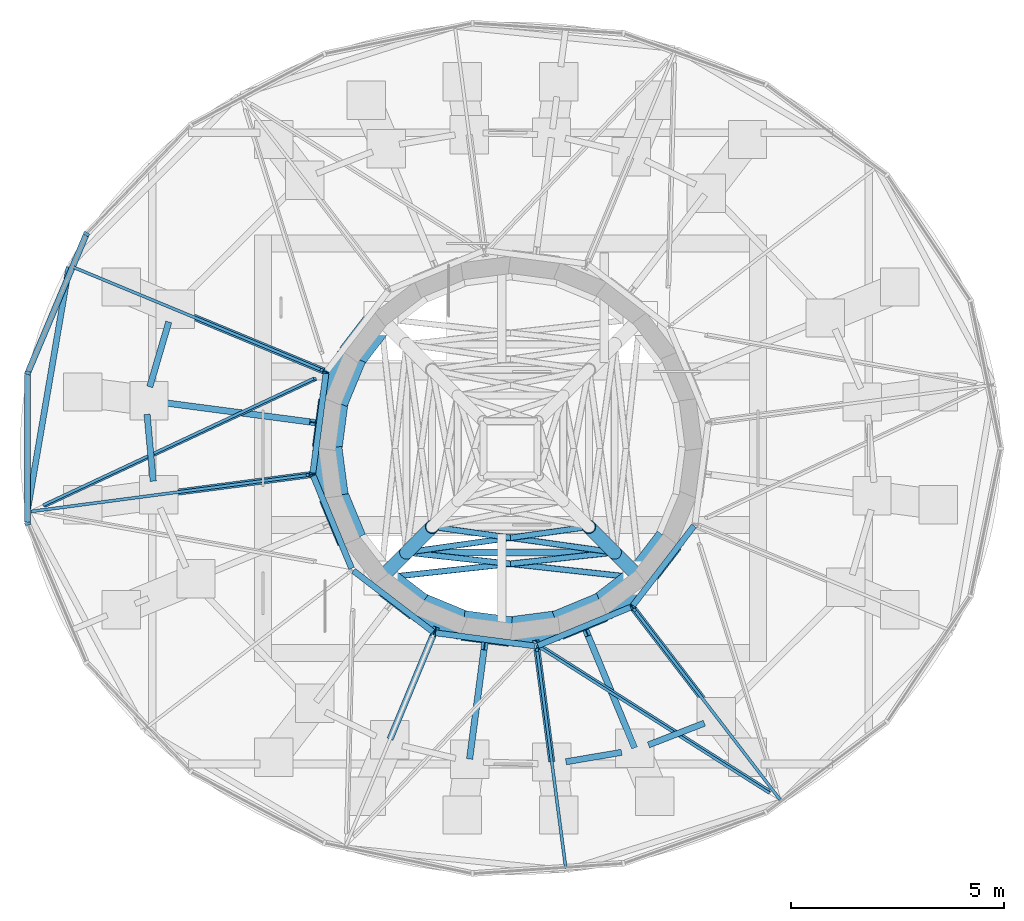
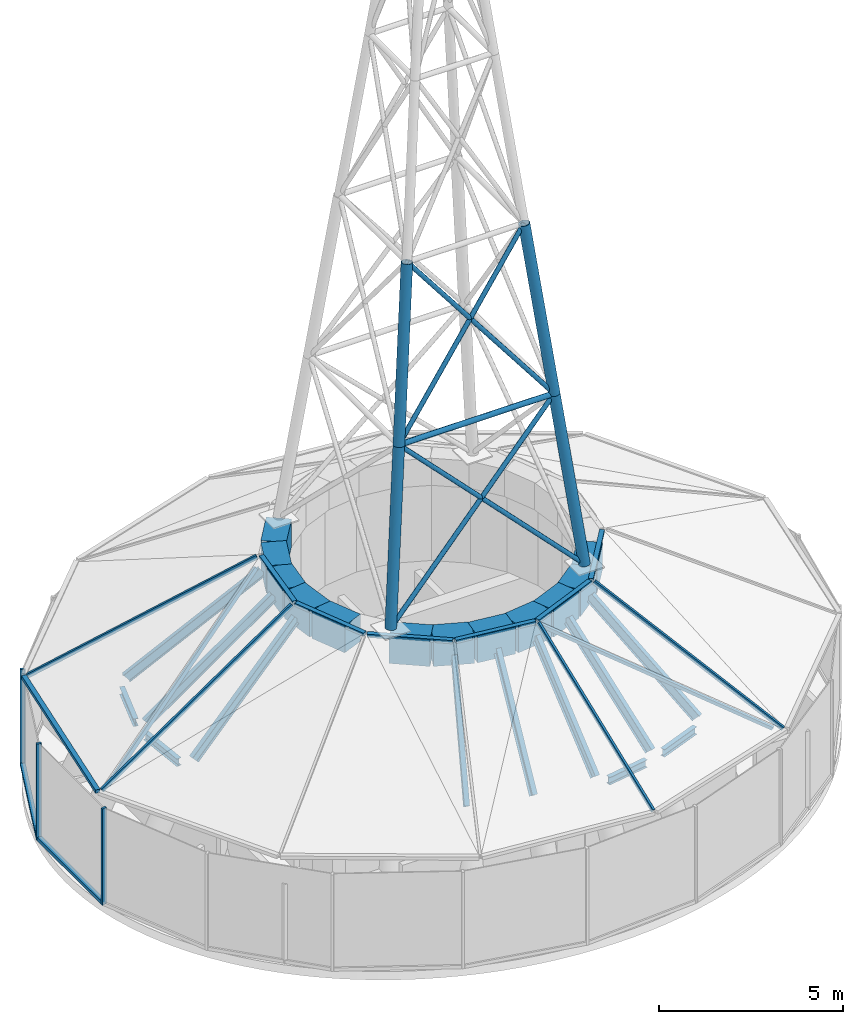
# One storey, part 2 of 10: 35 members, 16 beams, 9 elements without a shape of their own.
"""IFC4 building model written with IfcOpenShell, lengths in metres."""

from ifc_helpers import new_model, si_unit, direction, frame, origin, origin_2d, place, context, subcontext, project, spatial, rectangle, hollow_circle, i_section, extrude, source, transform, mapped, material, layer, layer_set, material_profile, profile_set, type_object, element, aggregate, save


model = new_model("IFC4")

# Units and contexts
model_context = context("Model", 3, precision=1e-05, world=origin(), true_north=direction((0.0, 1.0)))
body_context = subcontext(model_context, "Body", "Model", "MODEL_VIEW")
ifc_project = project(units=[si_unit("LENGTHUNIT", "METRE"), si_unit("AREAUNIT", "SQUARE_METRE"), si_unit("VOLUMEUNIT", "CUBIC_METRE"), si_unit("PLANEANGLEUNIT", "RADIAN"), si_unit("MASSUNIT", "GRAM", prefix="KILO")], contexts=[model_context])

# Site, building, storey
site_placement = place(None, origin())
site = spatial("IfcSite", under=ifc_project, at=site_placement, CompositionType="ELEMENT")
building_placement = place(site_placement, origin())
building = spatial("IfcBuilding", under=site, at=building_placement, Name="Spindrift Exchange Tower", CompositionType="ELEMENT")
storey_placement = place(building_placement, frame((0.0, 0.0, 287.10009765625)))
storey = spatial("IfcBuildingStorey", under=building, at=storey_placement, Name="L71", CompositionType="ELEMENT", Elevation=287.10009765625)

# Beams
ifc_material_1 = material(Name="Steel Grade 300", Category="steel")
ifc_material_profile_1 = material_profile(ifc_material_1, i_section(OverallWidth=0.14599609375, OverallDepth=0.251953125, WebThickness=0.006103515625, FlangeThickness=0.008544921875, FilletRadius=0.011962890625, at=origin_2d()), Name="250UB31.4")
ifc_profile_set_1 = profile_set([ifc_material_profile_1], Name="Steel Grade 300")
beam_type_1 = type_object("IfcBeamType", Name="Edge Beam 250UB31.4 Steel Grade 300", PredefinedType="SPANDREL", material=ifc_profile_set_1)
shared_shape_1 = source(origin(), body_context, "Body", "SweptSolid", [
    extrude(i_section(OverallWidth=0.14599609375, OverallDepth=0.251953125, WebThickness=0.006103515625, FlangeThickness=0.008544921875, FilletRadius=0.011962890625, at=origin_2d()), origin(), (0.0, 0.0, 1.0), 1.322509765625),
])
beam_1_placement = place(storey_placement, frame((53.300048828125, 40.651611328125, 3.073974609375), z_axis=(0.985946289038, 0.167062608421, 0.0), x_axis=(-0.167062608421, 0.985946289038, 0.0)))
element("IfcBeam", 1, at=beam_1_placement, inside=storey, type_object=beam_type_1, Name="L71 edge beam E19", PredefinedType="SPANDREL", context=body_context, shape_type="MappedRepresentation", body=[
    mapped(shared_shape_1, transform((0.0, 0.0, 0.0), scale=1.0)),
])
shared_shape_2 = source(origin(), body_context, "Body", "SweptSolid", [
    extrude(i_section(OverallWidth=0.14599609375, OverallDepth=0.251953125, WebThickness=0.006103515625, FlangeThickness=0.008544921875, FilletRadius=0.011962890625, at=origin_2d()), origin(), (0.0, 0.0, 1.0), 1.4033203125),
])
beam_2_placement = place(storey_placement, frame((55.237060546875, 41.04736328125, 3.073974609375), z_axis=(0.931903430628, 0.362706487374, 0.0), x_axis=(-0.362706487374, 0.931903430628, 0.0)))
element("IfcBeam", 2, at=beam_2_placement, inside=storey, type_object=beam_type_1, Name="L71 edge beam E20", PredefinedType="SPANDREL", context=body_context, shape_type="MappedRepresentation", body=[
    mapped(shared_shape_2, transform((0.0, 0.0, 0.0), scale=1.0)),
])
shared_shape_3 = source(origin(), body_context, "Body", "SweptSolid", [
    extrude(i_section(OverallWidth=0.14599609375, OverallDepth=0.251953125, WebThickness=0.006103515625, FlangeThickness=0.008544921875, FilletRadius=0.011962890625, at=origin_2d()), origin(), (0.0, 0.0, 1.0), 1.585205078125),
])
beam_3_placement = place(storey_placement, frame((43.98828125, 50.96337890625, 3.073974609375), z_axis=(-0.281832788622, -0.959463537221, 0.0), x_axis=(0.959463537221, -0.281832788622, 0.0)))
element("IfcBeam", 3, at=beam_3_placement, inside=storey, type_object=beam_type_1, Name="L71 edge beam E11", PredefinedType="SPANDREL", context=body_context, shape_type="MappedRepresentation", body=[
    mapped(shared_shape_3, transform((0.0, 0.0, 0.0), scale=1.0)),
])
shared_shape_4 = source(origin(), body_context, "Body", "SweptSolid", [
    extrude(i_section(OverallWidth=0.14599609375, OverallDepth=0.251953125, WebThickness=0.006103515625, FlangeThickness=0.008544921875, FilletRadius=0.011962890625, at=origin_2d()), origin(), (0.0, 0.0, 1.0), 1.57421875),
])
beam_4_placement = place(storey_placement, frame((43.47900390625, 48.79736328125, 3.073974609375), z_axis=(0.091961871933, -0.995762528975, 0.0), x_axis=(0.995762528975, 0.091961871933, 0.0)))
element("IfcBeam", 4, at=beam_4_placement, inside=storey, type_object=beam_type_1, Name="L71 edge beam E12", PredefinedType="SPANDREL", context=body_context, shape_type="MappedRepresentation", body=[
    mapped(shared_shape_4, transform((0.0, 0.0, 0.0), scale=1.0)),
])
ifc_material_2 = material(Name="Concrete 50 MPa", Category="concrete")
ifc_material_profile_2 = material_profile(ifc_material_2, rectangle(XDim=0.699951171875, YDim=0.89990234375, at=origin_2d()), Name="RC 700x900")
ifc_profile_set_2 = profile_set([ifc_material_profile_2], Name="Concrete 50 MPa")
beam_type_2 = type_object("IfcBeamType", Name="RC Ring Beam 700x900 Concrete 50 MPa", PredefinedType="BEAM", material=ifc_profile_set_2)
shared_shape_5 = source(origin(), body_context, "Body", "SweptSolid", [
    extrude(rectangle(XDim=0.699951171875, YDim=0.89990234375, at=origin_2d()), origin(), (0.0, 0.0, 1.0), 1.122314453125),
])
for number, where, z_axis, x_axis, name in (
    (5, (47.846435546875, 49.11279296875, 6.5498046875), (-0.130510779773, -0.991446890339, 0.0), (0.991446890339, -0.130510779773, 0.0), "Plant drum ring beam 12"),
    (6, (47.699951171875, 48.0, 6.5498046875), (0.130510779773, -0.991446890339, 0.0), (0.991446890339, 0.130510779773, 0.0), "Plant drum ring beam 13"),
    (7, (50.88720703125, 43.846435546875, 6.5498046875), (0.991446890339, -0.130510779773, 0.0), (0.130510779773, 0.991446890339, 0.0), "Plant drum ring beam 18"),
    (8, (52.0, 43.699951171875, 6.5498046875), (0.991446890339, 0.130510779773, 0.0), (-0.130510779773, 0.991446890339, 0.0), "Plant drum ring beam 19"),
):
    element("IfcBeam", number, at=place(storey_placement, frame(where, z_axis=z_axis, x_axis=x_axis)), inside=storey, type_object=beam_type_2, Name=name, PredefinedType="BEAM", context=body_context, shape_type="MappedRepresentation", body=[
        mapped(shared_shape_5, transform((0.0, 0.0, 0.0), scale=1.0)),
    ])
shared_shape_6 = source(origin(), body_context, "Body", "SweptSolid", [
    extrude(rectangle(XDim=0.699951171875, YDim=0.89990234375, at=origin_2d()), origin(), (0.0, 0.0, 1.0), 1.12255859375),
])
for number, where, z_axis, x_axis, name in (
    (9, (48.95947265625, 51.04052734375, 6.5498046875), (-0.608732839803, -0.793375276742, 0.0), (0.793375276742, -0.608732839803, 0.0), "Plant drum ring beam 10"),
    (10, (48.276123046875, 50.14990234375, 6.5498046875), (-0.382761541363, -0.923847174836, 0.0), (0.923847174836, -0.382761541363, 0.0), "Plant drum ring beam 11"),
    (11, (47.846435546875, 46.88720703125, 6.5498046875), (0.382761541363, -0.923847174836, 0.0), (0.923847174836, 0.382761541363, 0.0), "Plant drum ring beam 14"),
    (12, (48.95947265625, 44.95947265625, 6.5498046875), (0.793375276742, -0.608732839803, 0.0), (0.608732839803, 0.793375276742, 0.0), "Plant drum ring beam 16"),
    (13, (49.85009765625, 44.276123046875, 6.5498046875), (0.923847174836, -0.382761541363, 0.0), (0.382761541363, 0.923847174836, 0.0), "Plant drum ring beam 17"),
    (14, (53.11279296875, 43.846435546875, 6.5498046875), (0.923847174836, 0.382761541363, 0.0), (-0.382761541363, 0.923847174836, 0.0), "Plant drum ring beam 20"),
    (15, (54.14990234375, 44.276123046875, 6.5498046875), (0.793375276742, 0.608732839803, 0.0), (-0.608732839803, 0.793375276742, 0.0), "Plant drum ring beam 21"),
    (16, (55.04052734375, 44.95947265625, 6.5498046875), (0.608732839803, 0.793375276742, 0.0), (-0.793375276742, 0.608732839803, 0.0), "Plant drum ring beam 22"),
):
    element("IfcBeam", number, at=place(storey_placement, frame(where, z_axis=z_axis, x_axis=x_axis)), inside=storey, type_object=beam_type_2, Name=name, PredefinedType="BEAM", context=body_context, shape_type="MappedRepresentation", body=[
        mapped(shared_shape_6, transform((0.0, 0.0, 0.0), scale=1.0)),
    ])

# Members
ifc_material_profile_3 = material_profile(ifc_material_1, i_section(OverallWidth=0.14892578125, OverallDepth=0.298095703125, WebThickness=0.005615234375, FlangeThickness=0.008056640625, FilletRadius=0.012939453125, at=origin_2d()), Name="310UB32.0")
ifc_profile_set_3 = profile_set([ifc_material_profile_3], Name="Steel Grade 300")
member_type_1 = type_object("IfcMemberType", Name="Crown Rafter 310UB32.0 Steel Grade 300", PredefinedType="RAFTER", material=ifc_profile_set_3)
shared_shape_7 = source(origin(), body_context, "Body", "SweptSolid", [
    extrude(i_section(OverallWidth=0.14892578125, OverallDepth=0.298095703125, WebThickness=0.005615234375, FlangeThickness=0.008056640625, FilletRadius=0.012939453125, at=origin_2d()), origin(), (0.0, 0.0, 1.0), 4.74365234375),
])
member_1_placement = place(storey_placement, frame((43.918212890625, 46.93603515625, 3.25), z_axis=(0.731876045923, 0.096348238957, 0.674592076928), x_axis=(-0.130519440536, 0.991445750226, 0.0)))
element("IfcMember", 17, at=member_1_placement, inside=storey, type_object=member_type_1, Name="Crown rafter 13", PredefinedType="RAFTER", context=body_context, shape_type="MappedRepresentation", body=[
    mapped(shared_shape_7, transform((0.0, 0.0, 0.0), scale=1.0)),
])
shared_shape_8 = source(origin(), body_context, "Body", "SweptSolid", [
    extrude(i_section(OverallWidth=0.14892578125, OverallDepth=0.298095703125, WebThickness=0.005615234375, FlangeThickness=0.008056640625, FilletRadius=0.012939453125, at=origin_2d()), origin(), (0.0, 0.0, 1.0), 4.13232421875),
])
member_2_placement = place(storey_placement, frame((49.219970703125, 41.28857421875, 3.25), z_axis=(0.242117453198, 0.584555900913, 0.774385909973), x_axis=(-0.923887092146, 0.382665181283, 0.0)))
element("IfcMember", 18, at=member_2_placement, inside=storey, type_object=member_type_1, Name="Crown rafter 17", PredefinedType="RAFTER", context=body_context, shape_type="MappedRepresentation", body=[
    mapped(shared_shape_8, transform((0.0, 0.0, 0.0), scale=1.0)),
])
shared_shape_9 = source(origin(), body_context, "Body", "SweptSolid", [
    extrude(i_section(OverallWidth=0.14892578125, OverallDepth=0.298095703125, WebThickness=0.005615234375, FlangeThickness=0.008056640625, FilletRadius=0.012939453125, at=origin_2d()), origin(), (0.0, 0.0, 1.0), 4.111083984375),
])
member_3_placement = place(storey_placement, frame((51.05615234375, 40.8310546875, 3.25), z_axis=(0.081953001784, 0.622427109926, 0.778375358248), x_axis=(-0.99144302295, 0.130540155679, 0.0)))
element("IfcMember", 19, at=member_3_placement, inside=storey, type_object=member_type_1, Name="Crown rafter 18", PredefinedType="RAFTER", context=body_context, shape_type="MappedRepresentation", body=[
    mapped(shared_shape_9, transform((0.0, 0.0, 0.0), scale=1.0)),
])
shared_shape_10 = source(origin(), body_context, "Body", "SweptSolid", [
    extrude(i_section(OverallWidth=0.14892578125, OverallDepth=0.298095703125, WebThickness=0.005615234375, FlangeThickness=0.008056640625, FilletRadius=0.012939453125, at=origin_2d()), origin(), (0.0, 0.0, 1.0), 4.15380859375),
])
member_4_placement = place(storey_placement, frame((52.95263671875, 40.763916015625, 3.25), z_axis=(-0.08322358876, 0.632170141736, 0.770347159514), x_axis=(-0.991445508648, -0.13052127559, 0.0)))
element("IfcMember", 20, at=member_4_placement, inside=storey, type_object=member_type_1, Name="Crown rafter 19", PredefinedType="RAFTER", context=body_context, shape_type="MappedRepresentation", body=[
    mapped(shared_shape_10, transform((0.0, 0.0, 0.0), scale=1.0)),
])
shared_shape_11 = source(origin(), body_context, "Body", "SweptSolid", [
    extrude(i_section(OverallWidth=0.14892578125, OverallDepth=0.298095703125, WebThickness=0.005615234375, FlangeThickness=0.008056640625, FilletRadius=0.012939453125, at=origin_2d()), origin(), (0.0, 0.0, 1.0), 4.279541015625),
])
member_5_placement = place(storey_placement, frame((54.866943359375, 41.07861328125, 3.25), z_axis=(-0.254087329282, 0.61348341695, 0.747715003344), x_axis=(-0.923893280851, -0.382650239251, 0.0)))
element("IfcMember", 21, at=member_5_placement, inside=storey, type_object=member_type_1, Name="Crown rafter 20", PredefinedType="RAFTER", context=body_context, shape_type="MappedRepresentation", body=[
    mapped(shared_shape_11, transform((0.0, 0.0, 0.0), scale=1.0)),
])
shared_shape_12 = source(origin(), body_context, "Body", "SweptSolid", [
    extrude(i_section(OverallWidth=0.14892578125, OverallDepth=0.298095703125, WebThickness=0.005615234375, FlangeThickness=0.008056640625, FilletRadius=0.012939453125, at=origin_2d()), origin(), (0.0, 0.0, 1.0), 4.497802734375),
])
member_6_placement = place(storey_placement, frame((56.7548828125, 41.80322265625, 3.25), z_axis=(-0.427786716912, 0.557517747672, 0.711458000071), x_axis=(-0.793361379302, -0.608750952223, 0.0)))
element("IfcMember", 22, at=member_6_placement, inside=storey, type_object=member_type_1, Name="Crown rafter 21", PredefinedType="RAFTER", context=body_context, shape_type="MappedRepresentation", body=[
    mapped(shared_shape_12, transform((0.0, 0.0, 0.0), scale=1.0)),
])
shared_shape_13 = source(origin(), body_context, "Body", "SweptSolid", [
    extrude(i_section(OverallWidth=0.14892578125, OverallDepth=0.298095703125, WebThickness=0.005615234375, FlangeThickness=0.008056640625, FilletRadius=0.012939453125, at=origin_2d()), origin(), (0.0, 0.0, 1.0), 4.91650390625),
])
member_7_placement = place(storey_placement, frame((44.255615234375, 51.207763671875, 3.25), z_axis=(0.701416729195, -0.290498255985, 0.650865066872), x_axis=(0.382640634603, 0.923897258763, 0.0)))
element("IfcMember", 23, at=member_7_placement, inside=storey, type_object=member_type_1, Name="Crown rafter 11", PredefinedType="RAFTER", context=body_context, shape_type="MappedRepresentation", body=[
    mapped(shared_shape_13, transform((0.0, 0.0, 0.0), scale=1.0)),
])
shared_shape_14 = source(origin(), body_context, "Body", "SweptSolid", [
    extrude(i_section(OverallWidth=0.14892578125, OverallDepth=0.298095703125, WebThickness=0.005615234375, FlangeThickness=0.008056640625, FilletRadius=0.012939453125, at=origin_2d()), origin(), (0.0, 0.0, 1.0), 4.9306640625),
])
member_8_placement = place(storey_placement, frame((43.6708984375, 49.0966796875, 3.25), z_axis=(0.754273656822, -0.099328625719, 0.649003139235), x_axis=(0.130560579608, 0.991440333582, 0.0)))
element("IfcMember", 24, at=member_8_placement, inside=storey, type_object=member_type_1, Name="Crown rafter 12", PredefinedType="RAFTER", context=body_context, shape_type="MappedRepresentation", body=[
    mapped(shared_shape_14, transform((0.0, 0.0, 0.0), scale=1.0)),
])
ifc_material_3 = material(Name="Steel Grade 350", Category="steel")
ifc_material_profile_4 = material_profile(ifc_material_3, hollow_circle(Radius=0.161865234375, WallThickness=0.009521484375, at=origin_2d()), Name="323.9x9.5CHS")
ifc_profile_set_4 = profile_set([ifc_material_profile_4], Name="Steel Grade 350")
member_type_2 = type_object("IfcMemberType", Name="Mast Leg 323.9x9.5CHS Steel Grade 350", PredefinedType="CHORD", material=ifc_profile_set_4)
shared_shape_15 = source(origin(), body_context, "Body", "SweptSolid", [
    extrude(hollow_circle(Radius=0.161865234375, WallThickness=0.009521484375, at=origin_2d()), origin(), (0.0, 0.0, 1.0), 5.565185546875),
])
for number, where, z_axis, x_axis, name in (
    (25, (48.95947265625, 44.95947265625, 7.039794921875), (0.108003892004, 0.108003892004, 0.988266319685), (-0.707106781187, 0.707106781187, 0.0), "Mast leg 3 bay 1"),
    (26, (55.04052734375, 44.95947265625, 7.039794921875), (-0.108003892004, 0.108003892004, 0.988266319685), (-0.707106781187, -0.707106781187, 0.0), "Mast leg 4 bay 1"),
    (27, (49.560546875, 45.560546875, 12.539794921875), (0.108003892004, 0.108003892004, 0.988266319685), (-0.707106781187, 0.707106781187, 0.0), "Mast leg 3 bay 2"),
    (28, (54.439453125, 45.560546875, 12.539794921875), (-0.108003892004, 0.108003892004, 0.988266319685), (-0.707106781187, -0.707106781187, 0.0), "Mast leg 4 bay 2"),
):
    element("IfcMember", number, at=place(storey_placement, frame(where, z_axis=z_axis, x_axis=x_axis)), inside=storey, type_object=member_type_2, Name=name, PredefinedType="CHORD", context=body_context, shape_type="MappedRepresentation", body=[
        mapped(shared_shape_15, transform((0.0, 0.0, 0.0), scale=1.0)),
    ])
ifc_material_profile_5 = material_profile(ifc_material_3, hollow_circle(Radius=0.06982421875, WallThickness=0.00537109375, at=origin_2d()), Name="139.7x5.4CHS")
ifc_profile_set_5 = profile_set([ifc_material_profile_5], Name="Steel Grade 350")
member_type_3 = type_object("IfcMemberType", Name="Mast Diagonal 139.7x5.4CHS Steel Grade 350", PredefinedType="BRACE", material=ifc_profile_set_5)
shared_shape_16 = source(origin(), body_context, "Body", "SweptSolid", [
    extrude(hollow_circle(Radius=0.06982421875, WallThickness=0.00537109375, at=origin_2d()), origin(), (0.0, 0.0, 1.0), 7.787353515625),
])
for number, where, z_axis, x_axis, name in (
    (29, (48.95947265625, 44.95947265625, 7.039794921875), (0.70371065754, 0.077186832347, 0.706281461867), (-0.109031554296, 0.994038289085, 0.0), "Mast diagonal 3 bay 1 up"),
    (30, (55.04052734375, 44.95947265625, 7.039794921875), (-0.70371065754, 0.077186832347, 0.706281461867), (-0.109031554296, -0.994038289085, 0.0), "Mast diagonal 3 bay 1 down"),
):
    element("IfcMember", number, at=place(storey_placement, frame(where, z_axis=z_axis, x_axis=x_axis)), inside=storey, type_object=member_type_3, Name=name, PredefinedType="BRACE", context=body_context, shape_type="MappedRepresentation", body=[
        mapped(shared_shape_16, transform((0.0, 0.0, 0.0), scale=1.0)),
    ])
shared_shape_17 = source(origin(), body_context, "Body", "SweptSolid", [
    extrude(hollow_circle(Radius=0.06982421875, WallThickness=0.00537109375, at=origin_2d()), origin(), (0.0, 0.0, 1.0), 6.99365234375),
])
for number, where, z_axis, x_axis, name in (
    (31, (49.560546875, 45.560546875, 12.539794921875), (0.611673757193, 0.085945713401, 0.786427713848), (-0.139142258637, 0.990272402858, 0.0), "Mast diagonal 3 bay 2 up"),
    (32, (54.439453125, 45.560546875, 12.539794921875), (-0.611673757193, 0.085945713401, 0.786427713848), (-0.139142258637, -0.990272402858, 0.0), "Mast diagonal 3 bay 2 down"),
):
    element("IfcMember", number, at=place(storey_placement, frame(where, z_axis=z_axis, x_axis=x_axis)), inside=storey, type_object=member_type_3, Name=name, PredefinedType="BRACE", context=body_context, shape_type="MappedRepresentation", body=[
        mapped(shared_shape_17, transform((0.0, 0.0, 0.0), scale=1.0)),
    ])
ifc_material_profile_6 = material_profile(ifc_material_3, hollow_circle(Radius=0.084228515625, WallThickness=0.007080078125, at=origin_2d()), Name="168.3x7.1CHS")
ifc_profile_set_6 = profile_set([ifc_material_profile_6], Name="Steel Grade 350")
member_type_4 = type_object("IfcMemberType", Name="Mast Strut 168.3x7.1CHS Steel Grade 350", PredefinedType="STRUT", material=ifc_profile_set_6)
shared_shape_18 = source(origin(), body_context, "Body", "SweptSolid", [
    extrude(hollow_circle(Radius=0.084228515625, WallThickness=0.007080078125, at=origin_2d()), origin(), (0.0, 0.0, 1.0), 4.87890625),
])
member_9_placement = place(storey_placement, frame((49.560546875, 45.560546875, 12.539794921875), z_axis=(1.0, 0.0, 0.0), x_axis=(0.0, 1.0, 0.0)))
element("IfcMember", 33, at=member_9_placement, inside=storey, type_object=member_type_4, Name="Mast strut 3 level 1", PredefinedType="STRUT", context=body_context, shape_type="MappedRepresentation", body=[
    mapped(shared_shape_18, transform((0.0, 0.0, 0.0), scale=1.0)),
])

# Curtain wall, members
ifc_material_4 = material(Name="Fritted laminated glass with bronze frame", Category="glass")
ifc_layer = layer(ifc_material_4, 0.139892578125)
ifc_layer_set = layer_set([ifc_layer], Name="CROWN BRONZE HOOD GLAZED ROOF")
curtain_wall_type = type_object("IfcCurtainWallType", Name="CROWN BRONZE HOOD GLAZED ROOF", PredefinedType="NOTDEFINED", material=ifc_layer_set)
curtain_wall_1_placement = place(storey_placement, origin())
curtain_wall_1 = element("IfcCurtainWall", 34, at=curtain_wall_1_placement, inside=storey, type_object=curtain_wall_type, Name="L71 Crown Bronze Hood Glazed Roof run 2", PredefinedType="NOTDEFINED")
ifc_material_5 = material(Name="Bronze anodised aluminium", Category="aluminium")
ifc_material_profile_7 = material_profile(ifc_material_5, rectangle(XDim=0.070068359375, YDim=0.139892578125, at=origin_2d()), Name="CROWN BRONZE HOOD GLAZED ROOF MULLION 70X140")
ifc_profile_set_7 = profile_set([ifc_material_profile_7], Name="Bronze anodised aluminium")
member_type_5 = type_object("IfcMemberType", Name="CROWN BRONZE HOOD GLAZED ROOF MULLION 70X140", PredefinedType="MULLION", material=ifc_profile_set_7)
shared_shape_19 = source(origin(), body_context, "Body", "SweptSolid", [
    extrude(rectangle(XDim=0.070068359375, YDim=0.139892578125, at=origin_2d()), origin(), (0.0, 0.0, 1.0), 3.199951171875),
])
member_10_placement = place(storey_placement, frame((42.057861328125, 53.025634765625, 0.0), z_axis=(0.0, 0.0, 1.0), x_axis=(-0.549266674057, -0.835647126944, 0.0)))
member_10 = element("IfcMember", 35, at=member_10_placement, type_object=member_type_5, Name="L71 mullion CW-H.9", PredefinedType="MULLION", context=body_context, shape_type="MappedRepresentation", body=[
    mapped(shared_shape_19, transform((0.0, 0.0, 0.0), scale=1.0)),
])
member_11_placement = place(storey_placement, frame((40.680908203125, 49.767333984375, 0.0), z_axis=(0.0, 0.0, 1.0), x_axis=(-0.198568890508, -0.980086932737, 0.0)))
member_11 = element("IfcMember", 36, at=member_11_placement, type_object=member_type_5, Name="L71 mullion CW-H.10", PredefinedType="MULLION", context=body_context, shape_type="MappedRepresentation", body=[
    mapped(shared_shape_19, transform((0.0, 0.0, 0.0), scale=1.0)),
])
member_12_placement = place(storey_placement, frame((40.680908203125, 46.232666015625, 0.0), z_axis=(0.0, 0.0, 1.0), x_axis=(0.198568890508, -0.980086932737, 0.0)))
member_12 = element("IfcMember", 37, at=member_12_placement, type_object=member_type_5, Name="L71 mullion CW-H.11", PredefinedType="MULLION", context=body_context, shape_type="MappedRepresentation", body=[
    mapped(shared_shape_19, transform((0.0, 0.0, 0.0), scale=1.0)),
])
ifc_material_profile_8 = material_profile(ifc_material_5, rectangle(XDim=0.139892578125, YDim=0.110107421875, at=origin_2d()), Name="CROWN BRONZE HOOD GLAZED ROOF TRANSOM 140X110")
ifc_profile_set_8 = profile_set([ifc_material_profile_8], Name="Bronze anodised aluminium")
member_type_6 = type_object("IfcMemberType", Name="CROWN BRONZE HOOD GLAZED ROOF TRANSOM 140X110", PredefinedType="USERDEFINED", material=ifc_profile_set_8)
shared_shape_20 = source(origin(), body_context, "Body", "SweptSolid", [
    extrude(rectangle(XDim=0.139892578125, YDim=0.110107421875, at=origin_2d()), origin(), (0.0, 0.0, 1.0), 3.46728515625),
])
member_13_placement = place(storey_placement, frame((42.044189453125, 52.993408203125, 0.054931640625), z_axis=(-0.389240272679, -0.921136260346, 0.0), x_axis=(0.921136260346, -0.389240272679, 0.0)))
member_13 = element("IfcMember", 38, at=member_13_placement, type_object=member_type_6, Name="L71 transom CW-H.9", ObjectType="TRANSOM", PredefinedType="USERDEFINED", context=body_context, shape_type="MappedRepresentation", body=[
    mapped(shared_shape_20, transform((0.0, 0.0, 0.0), scale=1.0)),
])
shared_shape_21 = source(origin(), body_context, "Body", "SweptSolid", [
    extrude(rectangle(XDim=0.139892578125, YDim=0.110107421875, at=origin_2d()), origin(), (0.0, 0.0, 1.0), 3.46484375),
])
member_14_placement = place(storey_placement, frame((40.680908203125, 49.732421875, 0.054931640625), z_axis=(0.0, -1.0, 0.0), x_axis=(1.0, 0.0, 0.0)))
member_14 = element("IfcMember", 39, at=member_14_placement, type_object=member_type_6, Name="L71 transom CW-H.10", ObjectType="TRANSOM", PredefinedType="USERDEFINED", context=body_context, shape_type="MappedRepresentation", body=[
    mapped(shared_shape_21, transform((0.0, 0.0, 0.0), scale=1.0)),
])
aggregate(curtain_wall_1, [member_10, member_13, member_11, member_14, member_12])

# Curtain wall, member
curtain_wall_2_placement = place(storey_placement, origin())
curtain_wall_2 = element("IfcCurtainWall", 40, at=curtain_wall_2_placement, inside=storey, type_object=curtain_wall_type, Name="L71 Crown Bronze Hood Glazed Roof facet 12", PredefinedType="NOTDEFINED")
shared_shape_22 = source(origin(), body_context, "Body", "SweptSolid", [
    extrude(rectangle(XDim=0.139892578125, YDim=0.110107421875, at=origin_2d()), origin(), (0.0, 0.0, 1.0), 2.351806640625),
])
member_15_placement = place(storey_placement, frame((47.365966796875, 47.424072265625, 6.94482421875), z_axis=(0.130484050211, 0.991450408563, 0.0), x_axis=(-0.991450408563, 0.130484050211, 0.0)))
member_15 = element("IfcMember", 41, at=member_15_placement, type_object=member_type_6, Name="L71 transom CW-H.6b", ObjectType="TRANSOM", PredefinedType="USERDEFINED", context=body_context, shape_type="MappedRepresentation", body=[
    mapped(shared_shape_22, transform((0.0, 0.0, 0.0), scale=1.0)),
])

curtain_wall_3_placement = place(storey_placement, origin())
curtain_wall_3 = element("IfcCurtainWall", 42, at=curtain_wall_3_placement, inside=storey, type_object=curtain_wall_type, Name="L71 Crown Bronze Hood Glazed Roof facet 14", PredefinedType="NOTDEFINED")
member_16_placement = place(storey_placement, frame((47.374755859375, 47.35693359375, 6.94482421875), z_axis=(0.382639066289, -0.923897908294, 0.0), x_axis=(0.923897908294, 0.382639066289, 0.0)))
member_16 = element("IfcMember", 43, at=member_16_placement, type_object=member_type_6, Name="L71 transom CW-H.7b", ObjectType="TRANSOM", PredefinedType="USERDEFINED", context=body_context, shape_type="MappedRepresentation", body=[
    mapped(shared_shape_22, transform((0.0, 0.0, 0.0), scale=1.0)),
])

curtain_wall_4_placement = place(storey_placement, origin())
curtain_wall_4 = element("IfcCurtainWall", 44, at=curtain_wall_4_placement, inside=storey, type_object=curtain_wall_type, Name="L71 Crown Bronze Hood Glazed Roof facet 16", PredefinedType="NOTDEFINED")
member_17_placement = place(storey_placement, frame((50.181640625, 43.69873046875, 6.94482421875), z_axis=(-0.793348970309, 0.608767124038, 0.0), x_axis=(-0.608767124038, -0.793348970309, 0.0)))
member_17 = element("IfcMember", 45, at=member_17_placement, type_object=member_type_6, Name="L71 transom CW-H.8b", ObjectType="TRANSOM", PredefinedType="USERDEFINED", context=body_context, shape_type="MappedRepresentation", body=[
    mapped(shared_shape_22, transform((0.0, 0.0, 0.0), scale=1.0)),
])
aggregate(curtain_wall_4, [member_17])

curtain_wall_5_placement = place(storey_placement, origin())
curtain_wall_5 = element("IfcCurtainWall", 46, at=curtain_wall_5_placement, inside=storey, type_object=curtain_wall_type, Name="L71 Crown Bronze Hood Glazed Roof facet 18", PredefinedType="NOTDEFINED")
member_18_placement = place(storey_placement, frame((50.244140625, 43.6728515625, 6.94482421875), z_axis=(0.991450408563, -0.130484050211, 0.0), x_axis=(0.130484050211, 0.991450408563, 0.0)))
member_18 = element("IfcMember", 47, at=member_18_placement, type_object=member_type_6, Name="L71 transom CW-H.9b", ObjectType="TRANSOM", PredefinedType="USERDEFINED", context=body_context, shape_type="MappedRepresentation", body=[
    mapped(shared_shape_22, transform((0.0, 0.0, 0.0), scale=1.0)),
])
aggregate(curtain_wall_5, [member_18])

curtain_wall_6_placement = place(storey_placement, origin())
curtain_wall_6 = element("IfcCurtainWall", 48, at=curtain_wall_6_placement, inside=storey, type_object=curtain_wall_type, Name="L71 Crown Bronze Hood Glazed Roof facet 20", PredefinedType="NOTDEFINED")
member_19_placement = place(storey_placement, frame((54.81591796875, 44.274658203125, 6.94482421875), z_axis=(-0.923897908294, -0.382639066289, 0.0), x_axis=(0.382639066289, -0.923897908294, 0.0)))
member_19 = element("IfcMember", 49, at=member_19_placement, type_object=member_type_6, Name="L71 transom CW-H.10b", ObjectType="TRANSOM", PredefinedType="USERDEFINED", context=body_context, shape_type="MappedRepresentation", body=[
    mapped(shared_shape_22, transform((0.0, 0.0, 0.0), scale=1.0)),
])

curtain_wall_7_placement = place(storey_placement, origin())
curtain_wall_7 = element("IfcCurtainWall", 50, at=curtain_wall_7_placement, inside=storey, type_object=curtain_wall_type, Name="L71 Crown Bronze Hood Glazed Roof facet 22", PredefinedType="NOTDEFINED")
member_20_placement = place(storey_placement, frame((54.86962890625, 44.31591796875, 6.94482421875), z_axis=(0.608767124038, 0.793348970309, 0.0), x_axis=(-0.793348970309, 0.608767124038, 0.0)))
member_20 = element("IfcMember", 51, at=member_20_placement, type_object=member_type_6, Name="L71 transom CW-H.11b", ObjectType="TRANSOM", PredefinedType="USERDEFINED", context=body_context, shape_type="MappedRepresentation", body=[
    mapped(shared_shape_22, transform((0.0, 0.0, 0.0), scale=1.0)),
])

# Member
shared_shape_23 = source(origin(), body_context, "Body", "SweptSolid", [
    extrude(rectangle(XDim=0.070068359375, YDim=0.139892578125, at=origin_2d()), origin(), (0.0, 0.0, 1.0), 7.333251953125),
])
member_21_placement = place(storey_placement, frame((40.7880859375, 46.52392578125, 3.56201171875), z_axis=(0.880149334651, 0.115890601578, 0.460333050279), x_axis=(-0.130544731461, 0.99144242046, 0.0)))
member_21 = element("IfcMember", 52, at=member_21_placement, type_object=member_type_5, Name="L71 mullion CW-H.7", PredefinedType="MULLION", context=body_context, shape_type="MappedRepresentation", body=[
    mapped(shared_shape_23, transform((0.0, 0.0, 0.0), scale=1.0)),
])

aggregate(curtain_wall_3, [member_16, member_21])

# Curtain wall, member
curtain_wall_8_placement = place(storey_placement, origin())
curtain_wall_8 = element("IfcCurtainWall", 53, at=curtain_wall_8_placement, inside=storey, type_object=curtain_wall_type, Name="L71 Crown Bronze Hood Glazed Roof facet 19", PredefinedType="NOTDEFINED")
shared_shape_24 = source(origin(), body_context, "Body", "SweptSolid", [
    extrude(rectangle(XDim=0.070068359375, YDim=0.139892578125, at=origin_2d()), origin(), (0.0, 0.0, 1.0), 6.14111328125),
])
member_22_placement = place(storey_placement, frame((53.291259765625, 38.1923828125, 3.558349609375), z_axis=(-0.108930606925, 0.827435299975, 0.550894678891), x_axis=(-0.991445375687, -0.130522285561, 0.0)))
member_22 = element("IfcMember", 54, at=member_22_placement, type_object=member_type_5, Name="L71 mullion CW-H.10", PredefinedType="MULLION", context=body_context, shape_type="MappedRepresentation", body=[
    mapped(shared_shape_24, transform((0.0, 0.0, 0.0), scale=1.0)),
])
aggregate(curtain_wall_8, [member_22])

# Member
shared_shape_25 = source(origin(), body_context, "Body", "SweptSolid", [
    extrude(rectangle(XDim=0.070068359375, YDim=0.139892578125, at=origin_2d()), origin(), (0.0, 0.0, 1.0), 7.270751953125),
])
member_23_placement = place(storey_placement, frame((58.062255859375, 39.9501953125, 3.562255859375), z_axis=(-0.750887091706, 0.476549038793, 0.457241281091), x_axis=(-0.633600630143, -0.71514065943, -0.295167882252)))
member_23 = element("IfcMember", 55, at=member_23_placement, type_object=member_type_5, Name="L71 glazing bar CW-H.10", PredefinedType="MULLION", context=body_context, shape_type="MappedRepresentation", body=[
    mapped(shared_shape_25, transform((0.0, 0.0, 0.0), scale=1.0)),
])

aggregate(curtain_wall_6, [member_19, member_23])

shared_shape_26 = source(origin(), body_context, "Body", "SweptSolid", [
    extrude(rectangle(XDim=0.070068359375, YDim=0.139892578125, at=origin_2d()), origin(), (0.0, 0.0, 1.0), 6.5146484375),
])
member_24_placement = place(storey_placement, frame((58.29833984375, 39.791748046875, 3.559814453125), z_axis=(-0.520387382621, 0.678197498437, 0.518888355162), x_axis=(-0.793360041453, -0.608752695785, 0.0)))
member_24 = element("IfcMember", 56, at=member_24_placement, type_object=member_type_5, Name="L71 mullion CW-H.11", PredefinedType="MULLION", context=body_context, shape_type="MappedRepresentation", body=[
    mapped(shared_shape_26, transform((0.0, 0.0, 0.0), scale=1.0)),
])

aggregate(curtain_wall_7, [member_20, member_24])

# Curtain wall, members
curtain_wall_9_placement = place(storey_placement, origin())
curtain_wall_9 = element("IfcCurtainWall", 57, at=curtain_wall_9_placement, inside=storey, type_object=curtain_wall_type, Name="L71 Crown Bronze Hood Glazed Roof facet 11", PredefinedType="NOTDEFINED")
shared_shape_27 = source(origin(), body_context, "Body", "SweptSolid", [
    extrude(rectangle(XDim=0.139892578125, YDim=0.110107421875, at=origin_2d()), origin(), (0.0, 0.0, 1.0), 5.790283203125),
])
member_25_placement = place(storey_placement, frame((40.67529296875, 46.542724609375, 3.554931640625), z_axis=(0.168151566699, 0.985761152925, 0.0), x_axis=(-0.985761152925, 0.168151566699, 0.0)))
member_25 = element("IfcMember", 58, at=member_25_placement, type_object=member_type_6, Name="L71 transom CW-H.6a", ObjectType="TRANSOM", PredefinedType="USERDEFINED", context=body_context, shape_type="MappedRepresentation", body=[
    mapped(shared_shape_27, transform((0.0, 0.0, 0.0), scale=1.0)),
])
shared_shape_28 = source(origin(), body_context, "Body", "SweptSolid", [
    extrude(rectangle(XDim=0.070068359375, YDim=0.139892578125, at=origin_2d()), origin(), (0.0, 0.0, 1.0), 7.13818359375),
])
member_26_placement = place(storey_placement, frame((41.760986328125, 52.2412109375, 3.5615234375), z_axis=(0.813970925953, -0.337162292031, 0.473046425348), x_axis=(0.382687787259, 0.923877728643, 0.0)))
member_26 = element("IfcMember", 59, at=member_26_placement, type_object=member_type_5, Name="L71 mullion CW-H.6", PredefinedType="MULLION", context=body_context, shape_type="MappedRepresentation", body=[
    mapped(shared_shape_28, transform((0.0, 0.0, 0.0), scale=1.0)),
])
aggregate(curtain_wall_9, [member_25, member_26])

# Member
shared_shape_29 = source(origin(), body_context, "Body", "SweptSolid", [
    extrude(rectangle(XDim=0.070068359375, YDim=0.139892578125, at=origin_2d()), origin(), (0.0, 0.0, 1.0), 7.685302734375),
])
member_27_placement = place(storey_placement, frame((41.07373046875, 46.661376953125, 3.563720703125), z_axis=(0.825129318524, 0.386451765606, 0.412088146604), x_axis=(-0.310093985463, 0.919539880305, -0.241429345166)))
member_27 = element("IfcMember", 60, at=member_27_placement, type_object=member_type_5, Name="L71 glazing bar CW-H.6", PredefinedType="MULLION", context=body_context, shape_type="MappedRepresentation", body=[
    mapped(shared_shape_29, transform((0.0, 0.0, 0.0), scale=1.0)),
])

aggregate(curtain_wall_2, [member_15, member_27])

save(model, "model.ifc")
